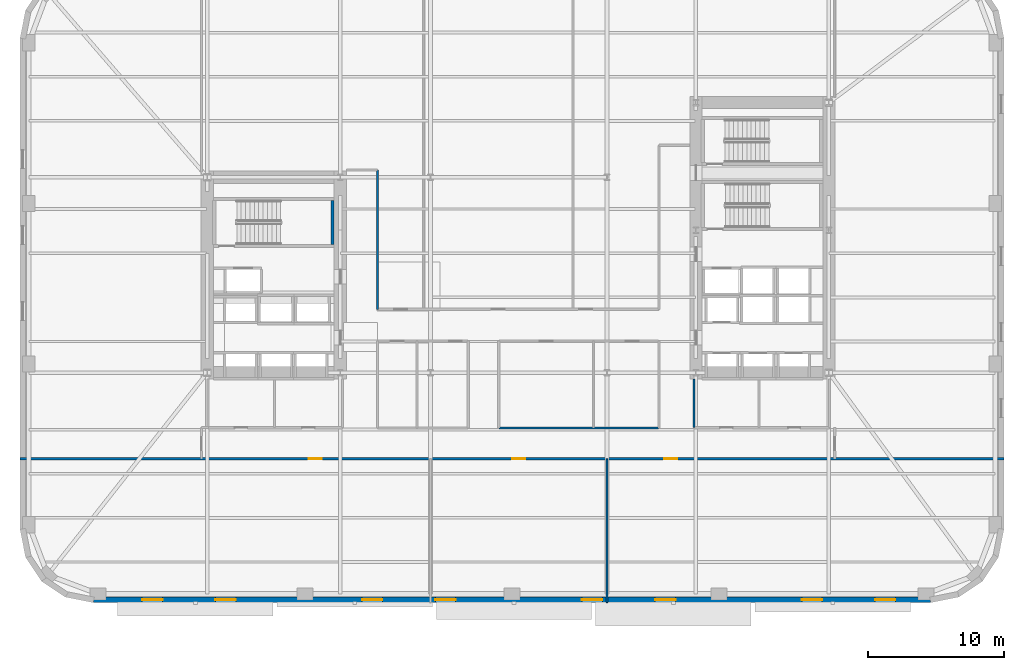
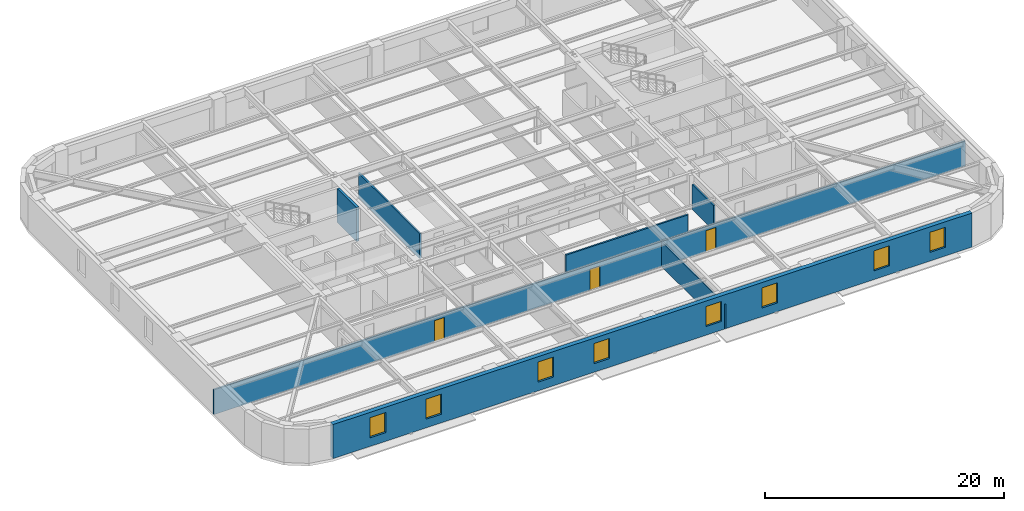
# One storey, part 5 of 14: 8 windows, 7 walls, 3 doors, 11 openings.
"""IFC4 building model written with IfcOpenShell, lengths in metres."""

import ifcopenshell
import ifcopenshell.guid

model = None  # the IFC model being written
_history = None  # IfcOwnerHistory: only IFC2X3 demands one
_inside = {}  # id of a spatial element -> (the spatial element, [elements in it])
_under = {}  # id of a project, library or spatial element -> (it, [spatial elements below it])
_declared = {}  # id of a project -> (the project, [libraries it declares])
_typed = {}  # id of a type object -> (the type object, [elements of that type])
_made_of = {}  # id of a material, layer set ... -> (it, [elements and type objects made of it])


def new_model(schema):
    """Start an empty IFC model of exactly this schema.

    Asked for "IFC4X3", IfcOpenShell would pick the latest addendum, in which some entities
    have other attributes; the version numbers below select the first issue.
    IFC2X3 requires an IfcOwnerHistory on every rooted entity: one is made here for all.
    """
    global model, _history
    if schema == "IFC4X3":
        model = ifcopenshell.file(schema_version=(4, 3, 0, 0))
    else:
        model = ifcopenshell.file(schema=schema)
    _inside.clear()
    _under.clear()
    _declared.clear()
    _typed.clear()
    _made_of.clear()
    _history = None
    if model.schema == "IFC2X3":
        org = make("IfcOrganization", Name="unknown")
        user = make(
            "IfcPersonAndOrganization",
            ThePerson=make("IfcPerson", FamilyName="unknown"),
            TheOrganization=org,
        )
        app = make(
            "IfcApplication",
            ApplicationDeveloper=org,
            Version="unknown",
            ApplicationFullName="unknown",
            ApplicationIdentifier="unknown",
        )
        _history = make(
            "IfcOwnerHistory",
            OwningUser=user,
            OwningApplication=app,
            ChangeAction="ADDED",
            CreationDate=0,
        )
    return model


def make(cls, **values):
    """One entity of the class cls with the attributes given. An attribute that is None is left unset."""
    return model.create_entity(
        cls, **{name: value for name, value in values.items() if value is not None}
    )


def rooted(cls, **values):
    """An entity with a GlobalId (a new one), such as an element, a storey or a relation."""
    return make(cls, GlobalId=ifcopenshell.guid.new(), OwnerHistory=_history, **values)


def si_unit(unit_type, name, prefix=None):
    """IfcSIUnit, for example si_unit("LENGTHUNIT", "METRE", prefix="MILLI")."""
    return make("IfcSIUnit", UnitType=unit_type, Prefix=prefix, Name=name)


def assignment(units):
    """IfcUnitAssignment: the units of a project."""
    return None if units is None else make("IfcUnitAssignment", Units=units)


def point(xyz):
    """IfcCartesianPoint."""
    return None if xyz is None else make("IfcCartesianPoint", Coordinates=xyz)


def direction(xyz):
    """IfcDirection."""
    return None if xyz is None else make("IfcDirection", DirectionRatios=xyz)


def frame(location, z_axis=None, x_axis=None):
    """IfcAxis2Placement3D, a coordinate frame: its origin and axes. An axis left out is left unset."""
    return make(
        "IfcAxis2Placement3D",
        Location=point(location),
        Axis=direction(z_axis),
        RefDirection=direction(x_axis),
    )


def frame_2d(location, x_axis=None):
    """IfcAxis2Placement2D, a coordinate frame in the plane: its origin and x axis."""
    return make(
        "IfcAxis2Placement2D", Location=point(location), RefDirection=direction(x_axis)
    )


def origin():
    """The frame at (0, 0, 0) with its axes left unset."""
    return frame((0.0, 0.0, 0.0))


def place(relative_to, where):
    """IfcLocalPlacement: puts the frame where relative to a parent placement (None: the world)."""
    return make(
        "IfcLocalPlacement", PlacementRelTo=relative_to, RelativePlacement=where
    )


def context(
    kind, dimensions, precision=None, world=None, true_north=None, identifier=None
):
    """IfcGeometricRepresentationContext, for example the 3D "Model" context."""
    return make(
        "IfcGeometricRepresentationContext",
        ContextIdentifier=identifier,
        ContextType=kind,
        CoordinateSpaceDimension=dimensions,
        Precision=precision,
        WorldCoordinateSystem=world,
        TrueNorth=true_north,
    )


def subcontext(parent, identifier, kind, view, scale=None):
    """IfcGeometricRepresentationSubContext, for example "Body" below "Model"."""
    return make(
        "IfcGeometricRepresentationSubContext",
        ContextIdentifier=identifier,
        ContextType=kind,
        ParentContext=parent,
        TargetScale=scale,
        TargetView=view,
    )


def project(units=None, contexts=None):
    """IfcProject with its units and contexts."""
    return rooted(
        "IfcProject",
        Name="project",
        RepresentationContexts=contexts,
        UnitsInContext=assignment(units),
    )


def spatial(cls, under=None, at=None, **own):
    """A site, building, storey or space (cls), placed at a placement, below another one or the project."""
    s = rooted(cls, ObjectPlacement=at, **own)
    if under is not None:
        _under.setdefault(under.id(), (under, []))[1].append(s)
    return s


def profile(cls, at=None, kind="AREA", **sizes):
    """A parametric profile (cls). Its sizes go by their IFC names, for example OverallWidth=200.0."""
    return make(cls, ProfileType=kind, Position=at, **sizes)


def rectangle(**sizes):
    """IfcRectangleProfileDef."""
    return profile("IfcRectangleProfileDef", **sizes)


def extrude(swept, where, along, depth):
    """IfcExtrudedAreaSolid: the profile swept, set in the frame where, extruded along a direction by depth."""
    return make(
        "IfcExtrudedAreaSolid",
        SweptArea=swept,
        Position=where,
        ExtrudedDirection=direction(along),
        Depth=depth,
    )


def shape(context_of_items, identifier, shape_type, items):
    """IfcShapeRepresentation: the items that make up one representation, for example the "Body"."""
    return make(
        "IfcShapeRepresentation",
        ContextOfItems=context_of_items,
        RepresentationIdentifier=identifier,
        RepresentationType=shape_type,
        Items=items,
    )


def material(Name=None, Category=None):
    """IfcMaterial."""
    return make("IfcMaterial", Name=Name, Category=Category)


def layer(
    of_material, thickness, ventilated=None, Name=None, Category=None, Priority=None
):
    """IfcMaterialLayer: one layer of a wall or slab, of a material (None: an air gap)."""
    return make(
        "IfcMaterialLayer",
        Material=of_material,
        LayerThickness=thickness,
        IsVentilated=ventilated,
        Name=Name,
        Category=Category,
        Priority=Priority,
    )


def layer_set(layers, Name=None):
    """IfcMaterialLayerSet."""
    return make("IfcMaterialLayerSet", MaterialLayers=layers, LayerSetName=Name)


def made_of(thing, what):
    """Note that an element or type object is made of a material, layer set ...; save() writes the relation."""
    if what is not None:
        _made_of.setdefault(what.id(), (what, []))[1].append(thing)
    return thing


def type_object(cls, material=None, **own):
    """A type object (cls), such as IfcWallType, which elements share."""
    return made_of(rooted(cls, **own), material)


def element(
    cls,
    number,
    at=None,
    inside=None,
    cuts=None,
    type_object=None,
    material=None,
    context=None,
    identifier="Body",
    shape_type=None,
    held_by="IfcProductDefinitionShape",
    body=None,
    shapes=None,
    **own,
):
    """One element of the class cls, such as IfcWall. Its Tag is "e" and its number.

    at: its placement. inside: the storey or other place that contains it. cuts: it is an
    opening in that element (IfcRelVoidsElement). A single representation is given by context,
    identifier, shape_type and body (its items); several are given by shapes. held_by: the class
    of the entity that holds the representations. save() writes the other relations.
    """
    e = rooted(cls, Tag="e%d" % number, ObjectPlacement=at, **own)
    if body is not None:
        shapes = [shape(context, identifier, shape_type, body)]
    if shapes is not None:
        e.Representation = make(held_by, Representations=shapes)
    if inside is not None:
        _inside.setdefault(inside.id(), (inside, []))[1].append(e)
    if cuts is not None:
        rooted(
            "IfcRelVoidsElement", RelatingBuildingElement=cuts, RelatedOpeningElement=e
        )
    if type_object is not None:
        _typed.setdefault(type_object.id(), (type_object, []))[1].append(e)
    return made_of(e, material)


def fill(opening, filler):
    """IfcRelFillsElement: the door or window that sits in an opening."""
    return rooted(
        "IfcRelFillsElement",
        RelatingOpeningElement=opening,
        RelatedBuildingElement=filler,
    )


def aggregate(whole, parts):
    """IfcRelAggregates: a whole, such as a stair, and the parts it consists of."""
    return rooted("IfcRelAggregates", RelatingObject=whole, RelatedObjects=parts)


def save(model, path):
    """Write the relations noted so far, then the file.

    IfcRelAggregates (storeys below a building ...), IfcRelContainedInSpatialStructure (elements
    in a storey), IfcRelDefinesByType, IfcRelAssociatesMaterial and IfcRelDeclares: one each for
    every whole, place, type object, material and project.
    """
    for whole, parts in _under.values():
        aggregate(whole, parts)
    for where, things in _inside.values():
        rooted(
            "IfcRelContainedInSpatialStructure",
            RelatedElements=things,
            RelatingStructure=where,
        )
    for kind, things in _typed.values():
        rooted("IfcRelDefinesByType", RelatedObjects=things, RelatingType=kind)
    for what, things in _made_of.values():
        rooted("IfcRelAssociatesMaterial", RelatedObjects=things, RelatingMaterial=what)
    for by, libraries in _declared.values():
        rooted("IfcRelDeclares", RelatingContext=by, RelatedDefinitions=libraries)
    model.write(path)


model = new_model("IFC4")

# Units and contexts
model_context = context("Model", 3, precision=1e-05, world=origin(), true_north=direction((0.0, 1.0)))
body_context = subcontext(model_context, "Body", "Model", "MODEL_VIEW")
ifc_project = project(units=[si_unit("LENGTHUNIT", "METRE"), si_unit("AREAUNIT", "SQUARE_METRE"), si_unit("VOLUMEUNIT", "CUBIC_METRE"), si_unit("PLANEANGLEUNIT", "RADIAN"), si_unit("MASSUNIT", "GRAM", prefix="KILO")], contexts=[model_context])

# Site, building, storey
site_placement = place(None, origin())
site = spatial("IfcSite", under=ifc_project, at=site_placement, CompositionType="ELEMENT")
building_placement = place(site_placement, origin())
building = spatial("IfcBuilding", under=site, at=building_placement, Name="Kolvaren Arena Tower", CompositionType="ELEMENT")
storey_placement = place(building_placement, frame((0.0, 0.0, 79.5)))
storey = spatial("IfcBuildingStorey", under=building, at=storey_placement, Name="L17", CompositionType="ELEMENT", Elevation=79.5)

# Wall, openings, doors
ifc_material_1 = material(Name="Gypsum board acoustic assembly", Category="gypsum")
ifc_layer_1 = layer(ifc_material_1, 0.159912109375)
ifc_layer_set_1 = layer_set([ifc_layer_1], Name="Gypsum board acoustic assembly")
wall_type_1 = type_object("IfcWallType", Name="CORR-160", PredefinedType="PARTITIONING", material=ifc_layer_set_1)
wall_1_placement = place(storey_placement, frame((0.75, 13.10009765625, 0.0), z_axis=(0.0, 0.0, 1.0), x_axis=(1.0, 0.0, 0.0)))
wall_1 = element("IfcWall", 1, at=wall_1_placement, inside=storey, type_object=wall_type_1, Name="Interior Partition Wall (L17)", PredefinedType="PARTITIONING", context=body_context, shape_type="SweptSolid", body=[
    extrude(rectangle(XDim=72.5, YDim=0.159912109375, at=frame_2d((36.25, 0.0))), origin(), (0.0, 0.0, 1.0), 2.5400390625),
])
opening_1_placement = place(wall_1_placement, frame((21.27490234375, 0.0, 0.0)))
opening_1 = element("IfcOpeningElement", 2, at=opening_1_placement, cuts=wall_1, Name="Opening D05", PredefinedType="OPENING", context=body_context, shape_type="SweptSolid", body=[
    extrude(rectangle(XDim=0.949951171875, YDim=2.14990234375, at=frame_2d((0.47509765625, 1.074951171875))), frame((0.0, 0.08984375, 0.0), z_axis=(0.0, -1.0, 0.0), x_axis=(1.0, 0.0, 0.0)), (0.0, 0.0, 1.0), 0.179931640625),
])
opening_2_placement = place(wall_1_placement, frame((36.27490234375, 0.0, 0.0)))
opening_2 = element("IfcOpeningElement", 3, at=opening_2_placement, cuts=wall_1, Name="Opening D05", PredefinedType="OPENING", context=body_context, shape_type="SweptSolid", body=[
    extrude(rectangle(XDim=0.949951171875, YDim=2.14990234375, at=frame_2d((0.47509765625, 1.074951171875))), frame((0.0, 0.08984375, 0.0), z_axis=(0.0, -1.0, 0.0), x_axis=(1.0, 0.0, 0.0)), (0.0, 0.0, 1.0), 0.179931640625),
])
opening_3_placement = place(wall_1_placement, frame((47.47509765625, 0.0, 0.0)))
opening_3 = element("IfcOpeningElement", 4, at=opening_3_placement, cuts=wall_1, Name="Opening D05", PredefinedType="OPENING", context=body_context, shape_type="SweptSolid", body=[
    extrude(rectangle(XDim=0.949951171875, YDim=2.14990234375, at=frame_2d((0.47509765625, 1.074951171875))), frame((0.0, 0.08984375, 0.0), z_axis=(0.0, -1.0, 0.0), x_axis=(1.0, 0.0, 0.0)), (0.0, 0.0, 1.0), 0.179931640625),
])
ifc_material_2 = material(Name="Solid-core oak acoustic office door", Category="wood")
door_type = type_object("IfcDoorType", Name="DOOR-OF-095", OperationType="NOTDEFINED", PredefinedType="DOOR", material=ifc_material_2)
door_1_placement = place(opening_1_placement, origin())
door_1 = element("IfcDoor", 5, at=door_1_placement, inside=storey, type_object=door_type, Name="Open Plan Office Door (L17)", OperationType="SINGLE_SWING_LEFT", OverallHeight=2.14990234375, OverallWidth=0.949951171875, PredefinedType="DOOR", context=body_context, shape_type="SweptSolid", body=[
    extrude(rectangle(XDim=0.949951171875, YDim=2.14990234375, at=frame_2d((0.47509765625, 1.074951171875))), frame((0.0, 0.02490234375, 0.0), z_axis=(0.0, -1.0, 0.0), x_axis=(1.0, 0.0, 0.0)), (0.0, 0.0, 1.0), 0.050048828125),
])
fill(opening_1, door_1)
door_2_placement = place(opening_2_placement, origin())
door_2 = element("IfcDoor", 6, at=door_2_placement, inside=storey, type_object=door_type, Name="Open Plan Office Door (L17)", OperationType="SINGLE_SWING_RIGHT", OverallHeight=2.14990234375, OverallWidth=0.949951171875, PredefinedType="DOOR", context=body_context, shape_type="SweptSolid", body=[
    extrude(rectangle(XDim=0.949951171875, YDim=2.14990234375, at=frame_2d((0.47509765625, 1.074951171875))), frame((0.0, 0.02490234375, 0.0), z_axis=(0.0, -1.0, 0.0), x_axis=(1.0, 0.0, 0.0)), (0.0, 0.0, 1.0), 0.050048828125),
])
fill(opening_2, door_2)
door_3_placement = place(opening_3_placement, origin())
door_3 = element("IfcDoor", 7, at=door_3_placement, inside=storey, type_object=door_type, Name="Collaborative Work Studio Door (L17)", OperationType="SINGLE_SWING_LEFT", OverallHeight=2.14990234375, OverallWidth=0.949951171875, PredefinedType="DOOR", context=body_context, shape_type="SweptSolid", body=[
    extrude(rectangle(XDim=0.949951171875, YDim=2.14990234375, at=frame_2d((0.47509765625, 1.074951171875))), frame((0.0, 0.02490234375, 0.0), z_axis=(0.0, -1.0, 0.0), x_axis=(1.0, 0.0, 0.0)), (0.0, 0.0, 1.0), 0.050048828125),
])
fill(opening_3, door_3)

# Walls
wall_2_placement = place(storey_placement, frame((27.080078125, 24.1201171875, 0.0), z_axis=(0.0, 0.0, 1.0), x_axis=(0.0, 1.0, 0.0)))
element("IfcWall", 8, at=wall_2_placement, inside=storey, type_object=wall_type_1, Name="Interior Partition Wall (L17)", PredefinedType="PARTITIONING", context=body_context, shape_type="SweptSolid", body=[
    extrude(rectangle(XDim=10.259765625, YDim=0.159912109375, at=frame_2d((5.1298828125, 0.0))), origin(), (0.0, 0.0, 1.0), 2.5400390625),
])
wall_3_placement = place(storey_placement, frame((36.0400390625, 15.3798828125, 0.0), z_axis=(0.0, 0.0, 1.0), x_axis=(1.0, 0.0, 0.0)))
element("IfcWall", 9, at=wall_3_placement, inside=storey, type_object=wall_type_1, Name="Interior Partition Wall (L17)", PredefinedType="PARTITIONING", context=body_context, shape_type="SweptSolid", body=[
    extrude(rectangle(XDim=11.760009765625, YDim=0.159912109375, at=frame_2d((5.8798828125, 0.0))), origin(), (0.0, 0.0, 1.0), 2.5400390625),
])

# Wall, openings, windows
ifc_material_3 = material(Name="Precast concrete C50/60", Category="concrete")
ifc_layer_2 = layer(ifc_material_3, 0.419921875)
ifc_layer_set_2 = layer_set([ifc_layer_2], Name="Precast concrete C50/60")
wall_type_2 = type_object("IfcWallType", Name="EXT-PIER1", PredefinedType="SOLIDWALL", material=ifc_layer_set_2)
wall_4_placement = place(storey_placement, frame((67.85009765625, 2.7099609375, 0.0), z_axis=(0.0, 0.0, 1.0), x_axis=(-1.0, 0.0, 0.0)))
wall_4 = element("IfcWall", 10, at=wall_4_placement, inside=storey, type_object=wall_type_2, Name="Exterior Precast Masonry-Frame Wall (L17)", PredefinedType="SOLIDWALL", context=body_context, shape_type="SweptSolid", body=[
    extrude(rectangle(XDim=61.7001953125, YDim=0.419921875, at=frame_2d((30.85009765625, 0.0))), origin(), (0.0, 0.0, 1.0), 3.47998046875),
])
opening_4_placement = place(wall_4_placement, frame((2.60009765625, 0.0, 0.8798828125)))
opening_4 = element("IfcOpeningElement", 11, at=opening_4_placement, cuts=wall_4, Name="Opening W03", PredefinedType="OPENING", context=body_context, shape_type="SweptSolid", body=[
    extrude(rectangle(XDim=1.5, YDim=2.050048828125, at=frame_2d((0.75, 1.02490234375))), frame((0.0, 0.219970703125, 0.0), z_axis=(0.0, -1.0, 0.0), x_axis=(1.0, 0.0, 0.0)), (0.0, 0.0, 1.0), 0.43994140625),
])
opening_5_placement = place(wall_4_placement, frame((8.0, 0.0, 0.8798828125)))
opening_5 = element("IfcOpeningElement", 12, at=opening_5_placement, cuts=wall_4, Name="Opening W03", PredefinedType="OPENING", context=body_context, shape_type="SweptSolid", body=[
    extrude(rectangle(XDim=1.5, YDim=2.050048828125, at=frame_2d((0.75, 1.02490234375))), frame((0.0, 0.219970703125, 0.0), z_axis=(0.0, -1.0, 0.0), x_axis=(1.0, 0.0, 0.0)), (0.0, 0.0, 1.0), 0.43994140625),
])
opening_6_placement = place(wall_4_placement, frame((18.800048828125, 0.0, 0.8798828125)))
opening_6 = element("IfcOpeningElement", 13, at=opening_6_placement, cuts=wall_4, Name="Opening W03", PredefinedType="OPENING", context=body_context, shape_type="SweptSolid", body=[
    extrude(rectangle(XDim=1.5, YDim=2.050048828125, at=frame_2d((0.75, 1.02490234375))), frame((0.0, 0.219970703125, 0.0), z_axis=(0.0, -1.0, 0.0), x_axis=(1.0, 0.0, 0.0)), (0.0, 0.0, 1.0), 0.43994140625),
])
opening_7_placement = place(wall_4_placement, frame((24.199951171875, 0.0, 0.8798828125)))
opening_7 = element("IfcOpeningElement", 14, at=opening_7_placement, cuts=wall_4, Name="Opening W03", PredefinedType="OPENING", context=body_context, shape_type="SweptSolid", body=[
    extrude(rectangle(XDim=1.5, YDim=2.050048828125, at=frame_2d((0.75, 1.02490234375))), frame((0.0, 0.219970703125, 0.0), z_axis=(0.0, -1.0, 0.0), x_axis=(1.0, 0.0, 0.0)), (0.0, 0.0, 1.0), 0.43994140625),
])
opening_8_placement = place(wall_4_placement, frame((35.0, 0.0, 0.8798828125)))
opening_8 = element("IfcOpeningElement", 15, at=opening_8_placement, cuts=wall_4, Name="Opening W03", PredefinedType="OPENING", context=body_context, shape_type="SweptSolid", body=[
    extrude(rectangle(XDim=1.5, YDim=2.050048828125, at=frame_2d((0.75, 1.02490234375))), frame((0.0, 0.219970703125, 0.0), z_axis=(0.0, -1.0, 0.0), x_axis=(1.0, 0.0, 0.0)), (0.0, 0.0, 1.0), 0.43994140625),
])
opening_9_placement = place(wall_4_placement, frame((40.39990234375, 0.0, 0.8798828125)))
opening_9 = element("IfcOpeningElement", 16, at=opening_9_placement, cuts=wall_4, Name="Opening W03", PredefinedType="OPENING", context=body_context, shape_type="SweptSolid", body=[
    extrude(rectangle(XDim=1.5, YDim=2.050048828125, at=frame_2d((0.75, 1.02490234375))), frame((0.0, 0.219970703125, 0.0), z_axis=(0.0, -1.0, 0.0), x_axis=(1.0, 0.0, 0.0)), (0.0, 0.0, 1.0), 0.43994140625),
])
opening_10_placement = place(wall_4_placement, frame((51.199951171875, 0.0, 0.8798828125)))
opening_10 = element("IfcOpeningElement", 17, at=opening_10_placement, cuts=wall_4, Name="Opening W03", PredefinedType="OPENING", context=body_context, shape_type="SweptSolid", body=[
    extrude(rectangle(XDim=1.5, YDim=2.050048828125, at=frame_2d((0.75, 1.02490234375))), frame((0.0, 0.219970703125, 0.0), z_axis=(0.0, -1.0, 0.0), x_axis=(1.0, 0.0, 0.0)), (0.0, 0.0, 1.0), 0.43994140625),
])
opening_11_placement = place(wall_4_placement, frame((56.60009765625, 0.0, 0.8798828125)))
opening_11 = element("IfcOpeningElement", 18, at=opening_11_placement, cuts=wall_4, Name="Opening W03", PredefinedType="OPENING", context=body_context, shape_type="SweptSolid", body=[
    extrude(rectangle(XDim=1.5, YDim=2.050048828125, at=frame_2d((0.75, 1.02490234375))), frame((0.0, 0.219970703125, 0.0), z_axis=(0.0, -1.0, 0.0), x_axis=(1.0, 0.0, 0.0)), (0.0, 0.0, 1.0), 0.43994140625),
])
ifc_material_4 = material(Name="Triple-glazed low-E aluminium window", Category="aluminium")
window_type = type_object("IfcWindowType", Name="WIN-OFF-C", PartitioningType="SINGLE_PANEL", PredefinedType="WINDOW", material=ifc_material_4)
window_1_placement = place(opening_4_placement, origin())
window_1 = element("IfcWindow", 19, at=window_1_placement, inside=storey, type_object=window_type, Name="Punched Precast-Pier Window (L17)", OverallHeight=2.050048828125, OverallWidth=1.5, PartitioningType="SINGLE_PANEL", PredefinedType="WINDOW", context=body_context, shape_type="SweptSolid", body=[
    extrude(rectangle(XDim=1.5, YDim=2.050048828125, at=frame_2d((0.75, 1.02490234375))), frame((0.0, 0.030029296875, 0.0), z_axis=(0.0, -1.0, 0.0), x_axis=(1.0, 0.0, 0.0)), (0.0, 0.0, 1.0), 0.06005859375),
])
fill(opening_4, window_1)
window_2_placement = place(opening_5_placement, origin())
window_2 = element("IfcWindow", 20, at=window_2_placement, inside=storey, type_object=window_type, Name="Punched Precast-Pier Window (L17)", OverallHeight=2.050048828125, OverallWidth=1.5, PartitioningType="SINGLE_PANEL", PredefinedType="WINDOW", context=body_context, shape_type="SweptSolid", body=[
    extrude(rectangle(XDim=1.5, YDim=2.050048828125, at=frame_2d((0.75, 1.02490234375))), frame((0.0, 0.030029296875, 0.0), z_axis=(0.0, -1.0, 0.0), x_axis=(1.0, 0.0, 0.0)), (0.0, 0.0, 1.0), 0.06005859375),
])
fill(opening_5, window_2)
window_3_placement = place(opening_6_placement, origin())
window_3 = element("IfcWindow", 21, at=window_3_placement, inside=storey, type_object=window_type, Name="Punched Precast-Pier Window (L17)", OverallHeight=2.050048828125, OverallWidth=1.5, PartitioningType="SINGLE_PANEL", PredefinedType="WINDOW", context=body_context, shape_type="SweptSolid", body=[
    extrude(rectangle(XDim=1.5, YDim=2.050048828125, at=frame_2d((0.75, 1.02490234375))), frame((0.0, 0.030029296875, 0.0), z_axis=(0.0, -1.0, 0.0), x_axis=(1.0, 0.0, 0.0)), (0.0, 0.0, 1.0), 0.06005859375),
])
fill(opening_6, window_3)
window_4_placement = place(opening_7_placement, origin())
window_4 = element("IfcWindow", 22, at=window_4_placement, inside=storey, type_object=window_type, Name="Punched Precast-Pier Window (L17)", OverallHeight=2.050048828125, OverallWidth=1.5, PartitioningType="SINGLE_PANEL", PredefinedType="WINDOW", context=body_context, shape_type="SweptSolid", body=[
    extrude(rectangle(XDim=1.5, YDim=2.050048828125, at=frame_2d((0.75, 1.02490234375))), frame((0.0, 0.030029296875, 0.0), z_axis=(0.0, -1.0, 0.0), x_axis=(1.0, 0.0, 0.0)), (0.0, 0.0, 1.0), 0.06005859375),
])
fill(opening_7, window_4)
window_5_placement = place(opening_8_placement, origin())
window_5 = element("IfcWindow", 23, at=window_5_placement, inside=storey, type_object=window_type, Name="Punched Precast-Pier Window (L17)", OverallHeight=2.050048828125, OverallWidth=1.5, PartitioningType="SINGLE_PANEL", PredefinedType="WINDOW", context=body_context, shape_type="SweptSolid", body=[
    extrude(rectangle(XDim=1.5, YDim=2.050048828125, at=frame_2d((0.75, 1.02490234375))), frame((0.0, 0.030029296875, 0.0), z_axis=(0.0, -1.0, 0.0), x_axis=(1.0, 0.0, 0.0)), (0.0, 0.0, 1.0), 0.06005859375),
])
fill(opening_8, window_5)
window_6_placement = place(opening_9_placement, origin())
window_6 = element("IfcWindow", 24, at=window_6_placement, inside=storey, type_object=window_type, Name="Punched Precast-Pier Window (L17)", OverallHeight=2.050048828125, OverallWidth=1.5, PartitioningType="SINGLE_PANEL", PredefinedType="WINDOW", context=body_context, shape_type="SweptSolid", body=[
    extrude(rectangle(XDim=1.5, YDim=2.050048828125, at=frame_2d((0.75, 1.02490234375))), frame((0.0, 0.030029296875, 0.0), z_axis=(0.0, -1.0, 0.0), x_axis=(1.0, 0.0, 0.0)), (0.0, 0.0, 1.0), 0.06005859375),
])
fill(opening_9, window_6)
window_7_placement = place(opening_10_placement, origin())
window_7 = element("IfcWindow", 25, at=window_7_placement, inside=storey, type_object=window_type, Name="Punched Precast-Pier Window (L17)", OverallHeight=2.050048828125, OverallWidth=1.5, PartitioningType="SINGLE_PANEL", PredefinedType="WINDOW", context=body_context, shape_type="SweptSolid", body=[
    extrude(rectangle(XDim=1.5, YDim=2.050048828125, at=frame_2d((0.75, 1.02490234375))), frame((0.0, 0.030029296875, 0.0), z_axis=(0.0, -1.0, 0.0), x_axis=(1.0, 0.0, 0.0)), (0.0, 0.0, 1.0), 0.06005859375),
])
fill(opening_10, window_7)
window_8_placement = place(opening_11_placement, origin())
window_8 = element("IfcWindow", 26, at=window_8_placement, inside=storey, type_object=window_type, Name="Punched Precast-Pier Window (L17)", OverallHeight=2.050048828125, OverallWidth=1.5, PartitioningType="SINGLE_PANEL", PredefinedType="WINDOW", context=body_context, shape_type="SweptSolid", body=[
    extrude(rectangle(XDim=1.5, YDim=2.050048828125, at=frame_2d((0.75, 1.02490234375))), frame((0.0, 0.030029296875, 0.0), z_axis=(0.0, -1.0, 0.0), x_axis=(1.0, 0.0, 0.0)), (0.0, 0.0, 1.0), 0.06005859375),
])
fill(opening_11, window_8)

# Walls
ifc_material_5 = material(Name="Gypsum board partition assembly", Category="gypsum")
ifc_layer_3 = layer(ifc_material_5, 0.135009765625)
ifc_layer_set_3 = layer_set([ifc_layer_3], Name="Gypsum board partition assembly")
wall_type_3 = type_object("IfcWallType", Name="PART-135", PredefinedType="PARTITIONING", material=ifc_layer_set_3)
wall_5_placement = place(storey_placement, frame((44.0, 2.5, 0.0), z_axis=(0.0, 0.0, 1.0), x_axis=(0.0, 1.0, 0.0)))
element("IfcWall", 27, at=wall_5_placement, inside=storey, type_object=wall_type_3, Name="Interior Partition Wall (L17)", PredefinedType="PARTITIONING", context=body_context, shape_type="SweptSolid", body=[
    extrude(rectangle(XDim=10.60009765625, YDim=0.135009765625, at=frame_2d((5.300048828125, 0.0))), origin(), (0.0, 0.0, 1.0), 2.5400390625),
])
ifc_material_6 = material(Name="Concrete 45 MPa", Category="concrete")
ifc_layer_4 = layer(ifc_material_6, 0.25)
ifc_layer_set_4 = layer_set([ifc_layer_4], Name="Concrete 45 MPa")
wall_type_4 = type_object("IfcWallType", Name="SHAFT-250", PredefinedType="SOLIDWALL", material=ifc_layer_set_4)
wall_6_placement = place(storey_placement, frame((23.780029296875, 28.89990234375, 0.0), z_axis=(0.0, 0.0, 1.0), x_axis=(0.0, 1.0, 0.0)))
element("IfcWall", 28, at=wall_6_placement, inside=storey, type_object=wall_type_4, Name="Core Shaft Wall (L17)", PredefinedType="SOLIDWALL", context=body_context, shape_type="SweptSolid", body=[
    extrude(rectangle(XDim=3.22998046875, YDim=0.239990234375, at=frame_2d((1.614990234375, 0.0))), origin(), (0.0, 0.0, 1.0), 3.47998046875),
])
ifc_material_7 = material(Name="Moisture-resistant gypsum assembly", Category="gypsum")
ifc_layer_5 = layer(ifc_material_7, 0.14990234375)
ifc_layer_set_5 = layer_set([ifc_layer_5], Name="Moisture-resistant gypsum assembly")
wall_type_5 = type_object("IfcWallType", Name="WETW-150", PredefinedType="PARTITIONING", material=ifc_layer_set_5)
wall_7_placement = place(storey_placement, frame((50.39990234375, 15.39990234375, 0.0), z_axis=(0.0, 0.0, 1.0), x_axis=(0.0, 1.0, 0.0)))
element("IfcWall", 29, at=wall_7_placement, inside=storey, type_object=wall_type_5, Name="Interior Partition Wall (L17)", PredefinedType="PARTITIONING", context=body_context, shape_type="SweptSolid", body=[
    extrude(rectangle(XDim=3.580078125, YDim=0.14990234375, at=frame_2d((1.7900390625, 0.0))), origin(), (0.0, 0.0, 1.0), 2.5400390625),
])

save(model, "model.ifc")
